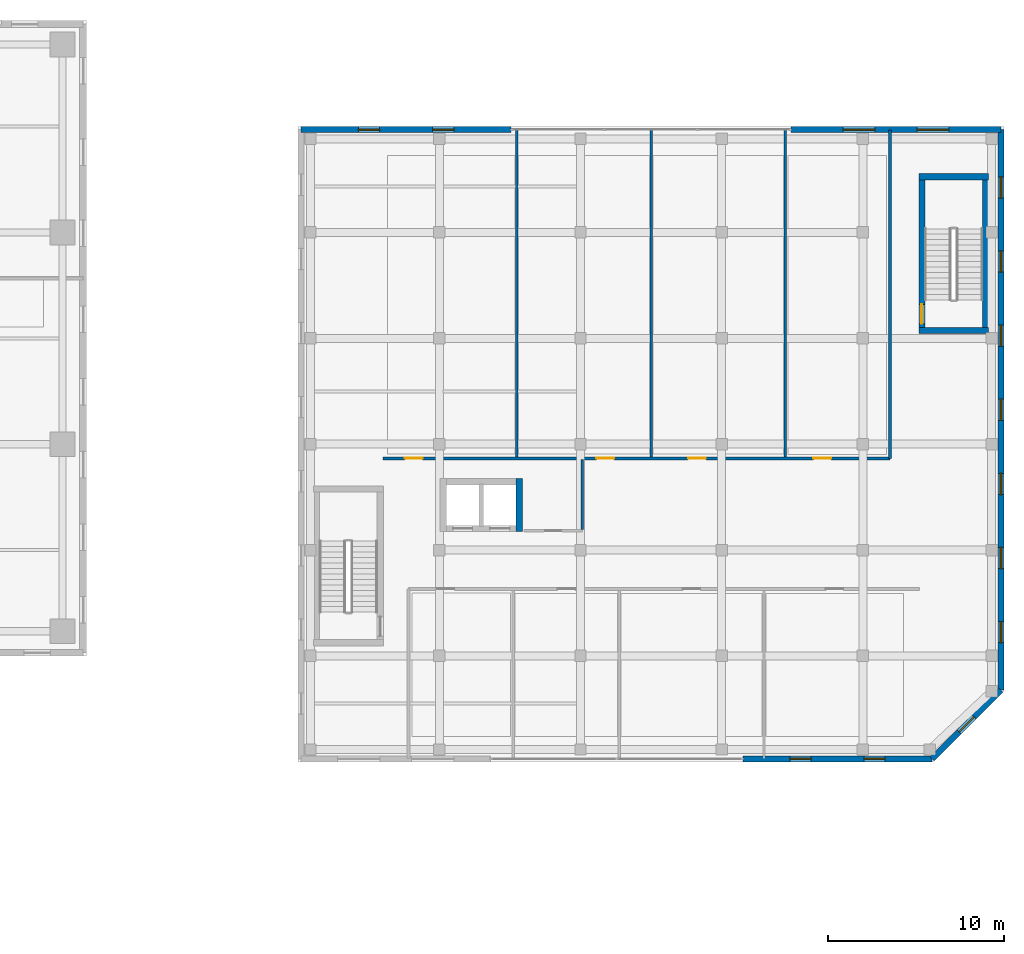
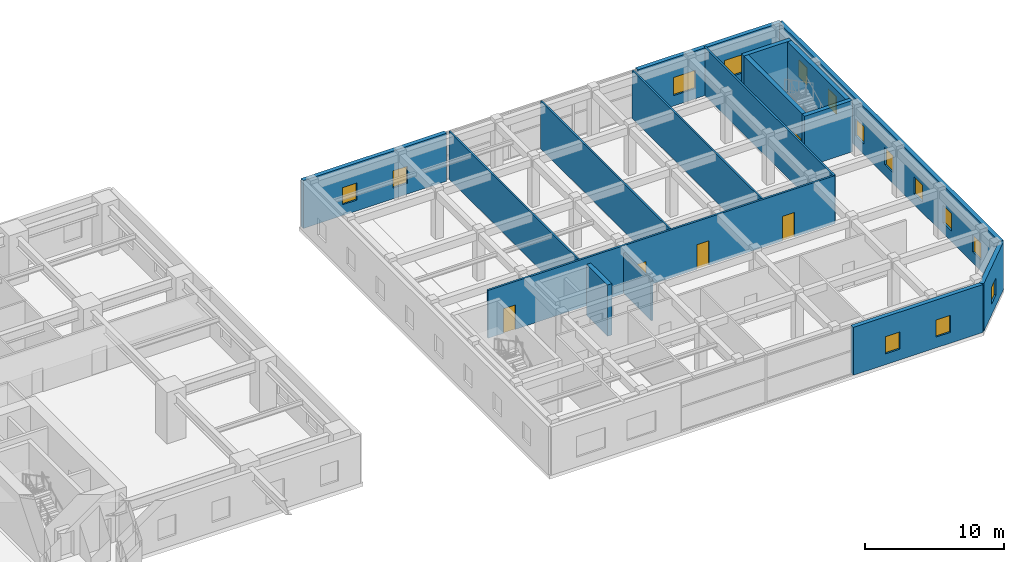
# One storey, part 22 of 28: 16 walls, 14 windows, 5 doors, 19 openings.
"""IFC4 building model written with IfcOpenShell, lengths in metres."""

from ifc_helpers import new_model, si_unit, direction, frame, frame_2d, origin, place, context, subcontext, project, spatial, rectangle, extrude, source, transform, mapped, material, layer, layer_set, type_object, element, fill, save


model = new_model("IFC4")

# Units and contexts
model_context = context("Model", 3, precision=1e-05, world=origin(), true_north=direction((0.0, 1.0)))
body_context = subcontext(model_context, "Body", "Model", "MODEL_VIEW")
ifc_project = project(units=[si_unit("LENGTHUNIT", "METRE"), si_unit("AREAUNIT", "SQUARE_METRE"), si_unit("VOLUMEUNIT", "CUBIC_METRE"), si_unit("PLANEANGLEUNIT", "RADIAN"), si_unit("MASSUNIT", "GRAM", prefix="KILO")], contexts=[model_context])

# Site, building, storey
site_placement = place(None, origin())
site = spatial("IfcSite", under=ifc_project, at=site_placement, CompositionType="ELEMENT")
building_placement = place(site_placement, origin())
building = spatial("IfcBuilding", under=site, at=building_placement, Name="Khoralis Quay Care Tower", CompositionType="ELEMENT")
storey_placement = place(building_placement, frame((0.0, 0.0, 9.0)))
storey = spatial("IfcBuildingStorey", under=building, at=storey_placement, Name="L02", CompositionType="ELEMENT", Elevation=9.0)

# Wall, openings, doors
ifc_material_1 = material(Name="Gypsum plasterboard on acoustic metal stud")
ifc_layer_1 = layer(ifc_material_1, 0.1650390625)
ifc_layer_set_1 = layer_set([ifc_layer_1], Name="Gypsum plasterboard on acoustic metal stud")
wall_type_1 = type_object("IfcWallType", Name="WL-CORR-165", PredefinedType="PARTITIONING", material=ifc_layer_set_1)
wall_1_placement = place(storey_placement, frame((72.800048828125, 23.199951171875, 0.0), z_axis=(0.0, 0.0, 1.0), x_axis=(1.0, 0.0, 0.0)))
wall_1 = element("IfcWall", 1, at=wall_1_placement, inside=storey, type_object=wall_type_1, Name="L02 School Corridor North Wall", PredefinedType="PARTITIONING", context=body_context, shape_type="SweptSolid", body=[
    extrude(rectangle(XDim=28.75, YDim=0.1650390625, at=frame_2d((14.375, 0.0))), origin(), (0.0, 0.0, 1.0), 4.199951171875),
])
opening_1_placement = place(wall_1_placement, frame((1.25, 0.0, 0.0)))
opening_1 = element("IfcOpeningElement", 2, at=opening_1_placement, cuts=wall_1, Name="Opening SCD1", PredefinedType="OPENING", context=body_context, shape_type="SweptSolid", body=[
    extrude(rectangle(XDim=1.0, YDim=2.14990234375, at=frame_2d((0.5, 1.074951171875))), frame((0.0, 0.092529296875, 0.0), z_axis=(0.0, -1.0, 0.0), x_axis=(1.0, 0.0, 0.0)), (0.0, 0.0, 1.0), 0.18505859375),
])
opening_2_placement = place(wall_1_placement, frame((12.10009765625, 0.0, 0.0)))
opening_2 = element("IfcOpeningElement", 3, at=opening_2_placement, cuts=wall_1, Name="Opening SCD1", PredefinedType="OPENING", context=body_context, shape_type="SweptSolid", body=[
    extrude(rectangle(XDim=1.0, YDim=2.14990234375, at=frame_2d((0.5, 1.074951171875))), frame((0.0, 0.092529296875, 0.0), z_axis=(0.0, -1.0, 0.0), x_axis=(1.0, 0.0, 0.0)), (0.0, 0.0, 1.0), 0.18505859375),
])
opening_3_placement = place(wall_1_placement, frame((17.300048828125, 0.0, 0.0)))
opening_3 = element("IfcOpeningElement", 4, at=opening_3_placement, cuts=wall_1, Name="Opening SCD1", PredefinedType="OPENING", context=body_context, shape_type="SweptSolid", body=[
    extrude(rectangle(XDim=1.0, YDim=2.14990234375, at=frame_2d((0.5, 1.074951171875))), frame((0.0, 0.092529296875, 0.0), z_axis=(0.0, -1.0, 0.0), x_axis=(1.0, 0.0, 0.0)), (0.0, 0.0, 1.0), 0.18505859375),
])
opening_4_placement = place(wall_1_placement, frame((24.39990234375, 0.0, 0.0)))
opening_4 = element("IfcOpeningElement", 5, at=opening_4_placement, cuts=wall_1, Name="Opening SCD1", PredefinedType="OPENING", context=body_context, shape_type="SweptSolid", body=[
    extrude(rectangle(XDim=1.0, YDim=2.14990234375, at=frame_2d((0.5, 1.074951171875))), frame((0.0, 0.092529296875, 0.0), z_axis=(0.0, -1.0, 0.0), x_axis=(1.0, 0.0, 0.0)), (0.0, 0.0, 1.0), 0.18505859375),
])
ifc_material_2 = material(Name="Acoustic hardwood timber", Category="wood")
door_type_1 = type_object("IfcDoorType", Name="DR-SCH-1000X2150", OperationType="NOTDEFINED", PredefinedType="DOOR", material=ifc_material_2)
shared_shape_1 = source(origin(), body_context, "Body", "SweptSolid", [
    extrude(rectangle(XDim=1.0, YDim=2.14990234375, at=frame_2d((0.5, 1.074951171875))), frame((0.0, 0.02490234375, 0.0), z_axis=(0.0, -1.0, 0.0), x_axis=(1.0, 0.0, 0.0)), (0.0, 0.0, 1.0), 0.050048828125),
])
door_1_placement = place(opening_1_placement, origin())
door_1 = element("IfcDoor", 6, at=door_1_placement, inside=storey, type_object=door_type_1, Name="L02 Faculty Preparation Office Door", OperationType="SINGLE_SWING_RIGHT", OverallHeight=2.14990234375, OverallWidth=1.0, PredefinedType="DOOR", context=body_context, shape_type="MappedRepresentation", body=[
    mapped(shared_shape_1, transform((0.0, 0.0, 0.0), scale=1.0)),
])
fill(opening_1, door_1)
door_2_placement = place(opening_2_placement, origin())
door_2 = element("IfcDoor", 7, at=door_2_placement, inside=storey, type_object=door_type_1, Name="L02 Robotics Laboratory Door", OperationType="SINGLE_SWING_LEFT", OverallHeight=2.14990234375, OverallWidth=1.0, PredefinedType="DOOR", context=body_context, shape_type="MappedRepresentation", body=[
    mapped(shared_shape_1, transform((0.0, 0.0, 0.0), scale=1.0)),
])
fill(opening_2, door_2)
door_3_placement = place(opening_3_placement, origin())
door_3 = element("IfcDoor", 8, at=door_3_placement, inside=storey, type_object=door_type_1, Name="L02 Academy Library Reading Room Door", OperationType="SINGLE_SWING_RIGHT", OverallHeight=2.14990234375, OverallWidth=1.0, PredefinedType="DOOR", context=body_context, shape_type="MappedRepresentation", body=[
    mapped(shared_shape_1, transform((0.0, 0.0, 0.0), scale=1.0)),
])
fill(opening_3, door_3)
door_4_placement = place(opening_4_placement, origin())
door_4 = element("IfcDoor", 9, at=door_4_placement, inside=storey, type_object=door_type_1, Name="L02 Secondary Classroom Door", OperationType="SINGLE_SWING_LEFT", OverallHeight=2.14990234375, OverallWidth=1.0, PredefinedType="DOOR", context=body_context, shape_type="MappedRepresentation", body=[
    mapped(shared_shape_1, transform((0.0, 0.0, 0.0), scale=1.0)),
])
fill(opening_4, door_4)

# Wall
wall_2_placement = place(storey_placement, frame((101.550048828125, 23.199951171875, 0.0), z_axis=(0.0, 0.0, 1.0), x_axis=(0.0, 1.0, 0.0)))
element("IfcWall", 10, at=wall_2_placement, inside=storey, type_object=wall_type_1, Name="L02 School East Stair Corridor Wall", PredefinedType="PARTITIONING", context=body_context, shape_type="SweptSolid", body=[
    extrude(rectangle(XDim=18.614990234375, YDim=0.1650390625, at=frame_2d((9.3076171875, 0.0))), origin(), (0.0, 0.0, 1.0), 4.199951171875),
])

# Wall, openings, windows
ifc_material_3 = material(Name="Precast concrete C40/50", Category="concrete")
ifc_layer_2 = layer(ifc_material_3, 0.340087890625)
ifc_layer_set_2 = layer_set([ifc_layer_2], Name="Precast concrete C40/50")
wall_type_2 = type_object("IfcWallType", Name="WL-EXT-SCH-340", PredefinedType="SOLIDWALL", material=ifc_layer_set_2)
wall_3_placement = place(storey_placement, frame((93.201904296875, 6.169921875, 0.0), z_axis=(0.0, 0.0, 1.0), x_axis=(1.0, 0.0, 0.0)))
wall_3 = element("IfcWall", 11, at=wall_3_placement, inside=storey, type_object=wall_type_2, Name="L02 External Facade Wall WL-SCH-L02-E0B", PredefinedType="SOLIDWALL", context=body_context, shape_type="SweptSolid", body=[
    extrude(rectangle(XDim=10.727783203125, YDim=0.340087890625, at=frame_2d((5.36376953125, 0.0))), origin(), (0.0, 0.0, 1.0), 4.199951171875),
])
opening_5_placement = place(wall_3_placement, frame((2.663818359375, 0.0, 0.949951171875)))
opening_5 = element("IfcOpeningElement", 12, at=opening_5_placement, cuts=wall_3, Name="Opening W6", PredefinedType="OPENING", context=body_context, shape_type="SweptSolid", body=[
    extrude(rectangle(XDim=1.199951171875, YDim=1.5, at=frame_2d((0.60009765625, 0.75))), frame((0.0, 0.18017578125, 0.0), z_axis=(0.0, -1.0, 0.0), x_axis=(1.0, 0.0, 0.0)), (0.0, 0.0, 1.0), 0.360107421875),
])
opening_6_placement = place(wall_3_placement, frame((6.86376953125, 0.0, 0.949951171875)))
opening_6 = element("IfcOpeningElement", 13, at=opening_6_placement, cuts=wall_3, Name="Opening W6", PredefinedType="OPENING", context=body_context, shape_type="SweptSolid", body=[
    extrude(rectangle(XDim=1.199951171875, YDim=1.5, at=frame_2d((0.60009765625, 0.75))), frame((0.0, 0.18017578125, 0.0), z_axis=(0.0, -1.0, 0.0), x_axis=(1.0, 0.0, 0.0)), (0.0, 0.0, 1.0), 0.360107421875),
])
ifc_material_4 = material(Name="Low-E solar-control double glazing", Category="glass")
window_type_1 = type_object("IfcWindowType", Name="WN-SCH-1200X1500", PartitioningType="SINGLE_PANEL", PredefinedType="WINDOW", material=ifc_material_4)
shared_shape_2 = source(origin(), body_context, "Body", "SweptSolid", [
    extrude(rectangle(XDim=1.199951171875, YDim=1.5, at=frame_2d((0.60009765625, 0.75))), frame((0.0, 0.030029296875, 0.0), z_axis=(0.0, -1.0, 0.0), x_axis=(1.0, 0.0, 0.0)), (0.0, 0.0, 1.0), 0.06005859375),
])
window_1_placement = place(opening_5_placement, origin())
window_1 = element("IfcWindow", 14, at=window_1_placement, inside=storey, type_object=window_type_1, Name="WN-SCH-L02-0B Classroom Window 01", OverallHeight=1.5, OverallWidth=1.199951171875, PartitioningType="SINGLE_PANEL", PredefinedType="WINDOW", context=body_context, shape_type="MappedRepresentation", body=[
    mapped(shared_shape_2, transform((0.0, 0.0, 0.0), scale=1.0)),
])
fill(opening_5, window_1)
window_2_placement = place(opening_6_placement, origin())
window_2 = element("IfcWindow", 15, at=window_2_placement, inside=storey, type_object=window_type_1, Name="WN-SCH-L02-0B Classroom Window 02", OverallHeight=1.5, OverallWidth=1.199951171875, PartitioningType="SINGLE_PANEL", PredefinedType="WINDOW", context=body_context, shape_type="MappedRepresentation", body=[
    mapped(shared_shape_2, transform((0.0, 0.0, 0.0), scale=1.0)),
])
fill(opening_6, window_2)

# Wall, opening, window
wall_4_placement = place(storey_placement, frame((103.9296875, 6.169921875, 0.0), z_axis=(0.0, 0.0, 1.0), x_axis=(0.707106781187, 0.707106781187, 0.0)))
wall_4 = element("IfcWall", 16, at=wall_4_placement, inside=storey, type_object=wall_type_2, Name="L02 External Facade Wall WL-SCH-L02-E1", PredefinedType="SOLIDWALL", context=body_context, shape_type="SweptSolid", body=[
    extrude(rectangle(XDim=5.515869140625, YDim=0.340087890625, at=frame_2d((2.7578125, 0.0))), origin(), (0.0, 0.0, 1.0), 4.199951171875),
])
opening_7_placement = place(wall_4_placement, frame((2.157958984375, 0.0, 0.949951171875)))
opening_7 = element("IfcOpeningElement", 17, at=opening_7_placement, cuts=wall_4, Name="Opening W6", PredefinedType="OPENING", context=body_context, shape_type="SweptSolid", body=[
    extrude(rectangle(XDim=1.199951171875, YDim=1.5, at=frame_2d((0.60009765625, 0.75))), frame((0.0, 0.18017578125, 0.0), z_axis=(0.0, -1.0, 0.0), x_axis=(1.0, 0.0, 0.0)), (0.0, 0.0, 1.0), 0.360107421875),
])
window_3_placement = place(opening_7_placement, origin())
window_3 = element("IfcWindow", 18, at=window_3_placement, inside=storey, type_object=window_type_1, Name="WN-SCH-L02-E1 Classroom Window 01", OverallHeight=1.5, OverallWidth=1.199951171875, PartitioningType="SINGLE_PANEL", PredefinedType="WINDOW", context=body_context, shape_type="MappedRepresentation", body=[
    mapped(shared_shape_2, transform((0.0, 0.0, 0.0), scale=1.0)),
])
fill(opening_7, window_3)

# Wall, openings, windows
wall_5_placement = place(storey_placement, frame((107.830078125, 10.0703125, 0.0), z_axis=(0.0, 0.0, 1.0), x_axis=(0.0, 1.0, 0.0)))
wall_5 = element("IfcWall", 19, at=wall_5_placement, inside=storey, type_object=wall_type_2, Name="L02 External Facade Wall WL-SCH-L02-E2", PredefinedType="SOLIDWALL", context=body_context, shape_type="SweptSolid", body=[
    extrude(rectangle(XDim=31.759765625, YDim=0.340087890625, at=frame_2d((15.8798828125, 0.0))), origin(), (0.0, 0.0, 1.0), 4.199951171875),
])
opening_8_placement = place(wall_5_placement, frame((2.6796875, 0.0, 0.949951171875)))
opening_8 = element("IfcOpeningElement", 20, at=opening_8_placement, cuts=wall_5, Name="Opening W6", PredefinedType="OPENING", context=body_context, shape_type="SweptSolid", body=[
    extrude(rectangle(XDim=1.199951171875, YDim=1.5, at=frame_2d((0.60009765625, 0.75))), frame((0.0, 0.18017578125, 0.0), z_axis=(0.0, -1.0, 0.0), x_axis=(1.0, 0.0, 0.0)), (0.0, 0.0, 1.0), 0.360107421875),
])
opening_9_placement = place(wall_5_placement, frame((6.8798828125, 0.0, 0.949951171875)))
opening_9 = element("IfcOpeningElement", 21, at=opening_9_placement, cuts=wall_5, Name="Opening W6", PredefinedType="OPENING", context=body_context, shape_type="SweptSolid", body=[
    extrude(rectangle(XDim=1.199951171875, YDim=1.5, at=frame_2d((0.60009765625, 0.75))), frame((0.0, 0.18017578125, 0.0), z_axis=(0.0, -1.0, 0.0), x_axis=(1.0, 0.0, 0.0)), (0.0, 0.0, 1.0), 0.360107421875),
])
opening_10_placement = place(wall_5_placement, frame((11.079833984375, 0.0, 0.949951171875)))
opening_10 = element("IfcOpeningElement", 22, at=opening_10_placement, cuts=wall_5, Name="Opening W6", PredefinedType="OPENING", context=body_context, shape_type="SweptSolid", body=[
    extrude(rectangle(XDim=1.199951171875, YDim=1.5, at=frame_2d((0.60009765625, 0.75))), frame((0.0, 0.18017578125, 0.0), z_axis=(0.0, -1.0, 0.0), x_axis=(1.0, 0.0, 0.0)), (0.0, 0.0, 1.0), 0.360107421875),
])
opening_11_placement = place(wall_5_placement, frame((15.27978515625, 0.0, 0.949951171875)))
opening_11 = element("IfcOpeningElement", 23, at=opening_11_placement, cuts=wall_5, Name="Opening W6", PredefinedType="OPENING", context=body_context, shape_type="SweptSolid", body=[
    extrude(rectangle(XDim=1.199951171875, YDim=1.5, at=frame_2d((0.60009765625, 0.75))), frame((0.0, 0.18017578125, 0.0), z_axis=(0.0, -1.0, 0.0), x_axis=(1.0, 0.0, 0.0)), (0.0, 0.0, 1.0), 0.360107421875),
])
opening_12_placement = place(wall_5_placement, frame((19.479736328125, 0.0, 0.949951171875)))
opening_12 = element("IfcOpeningElement", 24, at=opening_12_placement, cuts=wall_5, Name="Opening W6", PredefinedType="OPENING", context=body_context, shape_type="SweptSolid", body=[
    extrude(rectangle(XDim=1.199951171875, YDim=1.5, at=frame_2d((0.60009765625, 0.75))), frame((0.0, 0.18017578125, 0.0), z_axis=(0.0, -1.0, 0.0), x_axis=(1.0, 0.0, 0.0)), (0.0, 0.0, 1.0), 0.360107421875),
])
opening_13_placement = place(wall_5_placement, frame((23.6796875, 0.0, 0.949951171875)))
opening_13 = element("IfcOpeningElement", 25, at=opening_13_placement, cuts=wall_5, Name="Opening W6", PredefinedType="OPENING", context=body_context, shape_type="SweptSolid", body=[
    extrude(rectangle(XDim=1.199951171875, YDim=1.5, at=frame_2d((0.60009765625, 0.75))), frame((0.0, 0.18017578125, 0.0), z_axis=(0.0, -1.0, 0.0), x_axis=(1.0, 0.0, 0.0)), (0.0, 0.0, 1.0), 0.360107421875),
])
opening_14_placement = place(wall_5_placement, frame((27.8798828125, 0.0, 0.949951171875)))
opening_14 = element("IfcOpeningElement", 26, at=opening_14_placement, cuts=wall_5, Name="Opening W6", PredefinedType="OPENING", context=body_context, shape_type="SweptSolid", body=[
    extrude(rectangle(XDim=1.199951171875, YDim=1.5, at=frame_2d((0.60009765625, 0.75))), frame((0.0, 0.18017578125, 0.0), z_axis=(0.0, -1.0, 0.0), x_axis=(1.0, 0.0, 0.0)), (0.0, 0.0, 1.0), 0.360107421875),
])
window_4_placement = place(opening_8_placement, origin())
window_4 = element("IfcWindow", 27, at=window_4_placement, inside=storey, type_object=window_type_1, Name="WN-SCH-L02-E2 Classroom Window 01", OverallHeight=1.5, OverallWidth=1.199951171875, PartitioningType="SINGLE_PANEL", PredefinedType="WINDOW", context=body_context, shape_type="MappedRepresentation", body=[
    mapped(shared_shape_2, transform((0.0, 0.0, 0.0), scale=1.0)),
])
fill(opening_8, window_4)
window_5_placement = place(opening_9_placement, origin())
window_5 = element("IfcWindow", 28, at=window_5_placement, inside=storey, type_object=window_type_1, Name="WN-SCH-L02-E2 Classroom Window 02", OverallHeight=1.5, OverallWidth=1.199951171875, PartitioningType="SINGLE_PANEL", PredefinedType="WINDOW", context=body_context, shape_type="MappedRepresentation", body=[
    mapped(shared_shape_2, transform((0.0, 0.0, 0.0), scale=1.0)),
])
fill(opening_9, window_5)
window_6_placement = place(opening_10_placement, origin())
window_6 = element("IfcWindow", 29, at=window_6_placement, inside=storey, type_object=window_type_1, Name="WN-SCH-L02-E2 Classroom Window 03", OverallHeight=1.5, OverallWidth=1.199951171875, PartitioningType="SINGLE_PANEL", PredefinedType="WINDOW", context=body_context, shape_type="MappedRepresentation", body=[
    mapped(shared_shape_2, transform((0.0, 0.0, 0.0), scale=1.0)),
])
fill(opening_10, window_6)
window_7_placement = place(opening_11_placement, origin())
window_7 = element("IfcWindow", 30, at=window_7_placement, inside=storey, type_object=window_type_1, Name="WN-SCH-L02-E2 Classroom Window 04", OverallHeight=1.5, OverallWidth=1.199951171875, PartitioningType="SINGLE_PANEL", PredefinedType="WINDOW", context=body_context, shape_type="MappedRepresentation", body=[
    mapped(shared_shape_2, transform((0.0, 0.0, 0.0), scale=1.0)),
])
fill(opening_11, window_7)
window_8_placement = place(opening_12_placement, origin())
window_8 = element("IfcWindow", 31, at=window_8_placement, inside=storey, type_object=window_type_1, Name="WN-SCH-L02-E2 Classroom Window 05", OverallHeight=1.5, OverallWidth=1.199951171875, PartitioningType="SINGLE_PANEL", PredefinedType="WINDOW", context=body_context, shape_type="MappedRepresentation", body=[
    mapped(shared_shape_2, transform((0.0, 0.0, 0.0), scale=1.0)),
])
fill(opening_12, window_8)
window_9_placement = place(opening_13_placement, origin())
window_9 = element("IfcWindow", 32, at=window_9_placement, inside=storey, type_object=window_type_1, Name="WN-SCH-L02-E2 Classroom Window 06", OverallHeight=1.5, OverallWidth=1.199951171875, PartitioningType="SINGLE_PANEL", PredefinedType="WINDOW", context=body_context, shape_type="MappedRepresentation", body=[
    mapped(shared_shape_2, transform((0.0, 0.0, 0.0), scale=1.0)),
])
fill(opening_13, window_9)
window_10_placement = place(opening_14_placement, origin())
window_10 = element("IfcWindow", 33, at=window_10_placement, inside=storey, type_object=window_type_1, Name="WN-SCH-L02-E2 Classroom Window 07", OverallHeight=1.5, OverallWidth=1.199951171875, PartitioningType="SINGLE_PANEL", PredefinedType="WINDOW", context=body_context, shape_type="MappedRepresentation", body=[
    mapped(shared_shape_2, transform((0.0, 0.0, 0.0), scale=1.0)),
])
fill(opening_14, window_10)

wall_6_placement = place(storey_placement, frame((107.830078125, 41.830078125, 0.0), z_axis=(0.0, 0.0, 1.0), x_axis=(-1.0, 0.0, 0.0)))
wall_6 = element("IfcWall", 34, at=wall_6_placement, inside=storey, type_object=wall_type_2, Name="L02 External Facade Wall WL-SCH-L02-E3A", PredefinedType="SOLIDWALL", context=body_context, shape_type="SweptSolid", body=[
    extrude(rectangle(XDim=11.898193359375, YDim=0.340087890625, at=frame_2d((5.94921875, 0.0))), origin(), (0.0, 0.0, 1.0), 4.199951171875),
])
opening_15_placement = place(wall_6_placement, frame((2.948974609375, 0.0, 0.89990234375)))
opening_15 = element("IfcOpeningElement", 35, at=opening_15_placement, cuts=wall_6, Name="Opening W5", PredefinedType="OPENING", context=body_context, shape_type="SweptSolid", body=[
    extrude(rectangle(XDim=1.800048828125, YDim=1.60009765625, at=frame_2d((0.89990234375, 0.800048828125))), frame((0.0, 0.18017578125, 0.0), z_axis=(0.0, -1.0, 0.0), x_axis=(1.0, 0.0, 0.0)), (0.0, 0.0, 1.0), 0.360107421875),
])
opening_16_placement = place(wall_6_placement, frame((7.14892578125, 0.0, 0.89990234375)))
opening_16 = element("IfcOpeningElement", 36, at=opening_16_placement, cuts=wall_6, Name="Opening W5", PredefinedType="OPENING", context=body_context, shape_type="SweptSolid", body=[
    extrude(rectangle(XDim=1.800048828125, YDim=1.60009765625, at=frame_2d((0.89990234375, 0.800048828125))), frame((0.0, 0.18017578125, 0.0), z_axis=(0.0, -1.0, 0.0), x_axis=(1.0, 0.0, 0.0)), (0.0, 0.0, 1.0), 0.360107421875),
])
window_type_2 = type_object("IfcWindowType", Name="WN-SCH-1800X1600", PartitioningType="SINGLE_PANEL", PredefinedType="WINDOW", material=ifc_material_4)
shared_shape_3 = source(origin(), body_context, "Body", "SweptSolid", [
    extrude(rectangle(XDim=1.800048828125, YDim=1.60009765625, at=frame_2d((0.89990234375, 0.800048828125))), frame((0.0, 0.030029296875, 0.0), z_axis=(0.0, -1.0, 0.0), x_axis=(1.0, 0.0, 0.0)), (0.0, 0.0, 1.0), 0.06005859375),
])
window_11_placement = place(opening_15_placement, origin())
window_11 = element("IfcWindow", 37, at=window_11_placement, inside=storey, type_object=window_type_2, Name="WN-SCH-L02-3A Classroom Window 01", OverallHeight=1.60009765625, OverallWidth=1.800048828125, PartitioningType="SINGLE_PANEL", PredefinedType="WINDOW", context=body_context, shape_type="MappedRepresentation", body=[
    mapped(shared_shape_3, transform((0.0, 0.0, 0.0), scale=1.0)),
])
fill(opening_15, window_11)
window_12_placement = place(opening_16_placement, origin())
window_12 = element("IfcWindow", 38, at=window_12_placement, inside=storey, type_object=window_type_2, Name="WN-SCH-L02-3A Classroom Window 02", OverallHeight=1.60009765625, OverallWidth=1.800048828125, PartitioningType="SINGLE_PANEL", PredefinedType="WINDOW", context=body_context, shape_type="MappedRepresentation", body=[
    mapped(shared_shape_3, transform((0.0, 0.0, 0.0), scale=1.0)),
])
fill(opening_16, window_12)

wall_7_placement = place(storey_placement, frame((80.068115234375, 41.830078125, 0.0), z_axis=(0.0, 0.0, 1.0), x_axis=(-1.0, 0.0, 0.0)))
wall_7 = element("IfcWall", 39, at=wall_7_placement, inside=storey, type_object=wall_type_2, Name="L02 External Facade Wall WL-SCH-L02-E3B", PredefinedType="SOLIDWALL", context=body_context, shape_type="SweptSolid", body=[
    extrude(rectangle(XDim=11.898193359375, YDim=0.340087890625, at=frame_2d((5.94921875, 0.0))), origin(), (0.0, 0.0, 1.0), 4.199951171875),
])
opening_17_placement = place(wall_7_placement, frame((3.2490234375, 0.0, 0.949951171875)))
opening_17 = element("IfcOpeningElement", 40, at=opening_17_placement, cuts=wall_7, Name="Opening W6", PredefinedType="OPENING", context=body_context, shape_type="SweptSolid", body=[
    extrude(rectangle(XDim=1.199951171875, YDim=1.5, at=frame_2d((0.60009765625, 0.75))), frame((0.0, 0.18017578125, 0.0), z_axis=(0.0, -1.0, 0.0), x_axis=(1.0, 0.0, 0.0)), (0.0, 0.0, 1.0), 0.360107421875),
])
opening_18_placement = place(wall_7_placement, frame((7.448974609375, 0.0, 0.949951171875)))
opening_18 = element("IfcOpeningElement", 41, at=opening_18_placement, cuts=wall_7, Name="Opening W6", PredefinedType="OPENING", context=body_context, shape_type="SweptSolid", body=[
    extrude(rectangle(XDim=1.199951171875, YDim=1.5, at=frame_2d((0.60009765625, 0.75))), frame((0.0, 0.18017578125, 0.0), z_axis=(0.0, -1.0, 0.0), x_axis=(1.0, 0.0, 0.0)), (0.0, 0.0, 1.0), 0.360107421875),
])
window_13_placement = place(opening_17_placement, origin())
window_13 = element("IfcWindow", 42, at=window_13_placement, inside=storey, type_object=window_type_1, Name="WN-SCH-L02-3B Classroom Window 01", OverallHeight=1.5, OverallWidth=1.199951171875, PartitioningType="SINGLE_PANEL", PredefinedType="WINDOW", context=body_context, shape_type="MappedRepresentation", body=[
    mapped(shared_shape_2, transform((0.0, 0.0, 0.0), scale=1.0)),
])
fill(opening_17, window_13)
window_14_placement = place(opening_18_placement, origin())
window_14 = element("IfcWindow", 43, at=window_14_placement, inside=storey, type_object=window_type_1, Name="WN-SCH-L02-3B Classroom Window 02", OverallHeight=1.5, OverallWidth=1.199951171875, PartitioningType="SINGLE_PANEL", PredefinedType="WINDOW", context=body_context, shape_type="MappedRepresentation", body=[
    mapped(shared_shape_2, transform((0.0, 0.0, 0.0), scale=1.0)),
])
fill(opening_18, window_14)

# Wall
ifc_material_5 = material(Name="Moisture-resistant gypsum and ceramic tile")
ifc_layer_3 = layer(ifc_material_5, 0.280029296875)
ifc_layer_set_3 = layer_set([ifc_layer_3], Name="Moisture-resistant gypsum and ceramic tile")
wall_type_3 = type_object("IfcWallType", Name="WL-PLUMB-280", PredefinedType="PLUMBINGWALL", material=ifc_layer_set_3)
wall_8_placement = place(storey_placement, frame((84.10009765625, 19.1650390625, 0.0), z_axis=(0.0, 0.0, 1.0), x_axis=(0.0, 1.0, 0.0)))
element("IfcWall", 44, at=wall_8_placement, inside=storey, type_object=wall_type_3, Name="L02 School WC East Wall", PredefinedType="PLUMBINGWALL", context=body_context, shape_type="SweptSolid", body=[
    extrude(rectangle(XDim=3.95751953125, YDim=0.139892578125, at=frame_2d((1.978759765625, 0.0))), origin(), (0.0, 0.0, 1.0), 3.550048828125),
])

# Wall, opening, door
ifc_material_6 = material(Name="Concrete C40/50", Category="concrete")
ifc_layer_4 = layer(ifc_material_6, 0.35009765625)
ifc_layer_set_4 = layer_set([ifc_layer_4], Name="Concrete C40/50")
wall_type_4 = type_object("IfcWallType", Name="WL-SC-CORE-350", PredefinedType="SHEAR", material=ifc_layer_set_4)
wall_9_placement = place(storey_placement, frame((103.344970703125, 30.27001953125, 0.0), z_axis=(0.0, 0.0, 1.0), x_axis=(0.0, 1.0, 0.0)))
wall_9 = element("IfcWall", 45, at=wall_9_placement, inside=storey, type_object=wall_type_4, Name="L02 School Stair ST-S2 West Shear Wall", PredefinedType="SHEAR", context=body_context, shape_type="SweptSolid", body=[
    extrude(rectangle(XDim=9.06005859375, YDim=0.35009765625, at=frame_2d((4.530029296875, 0.0))), origin(), (0.0, 0.0, 1.0), 4.5),
])
opening_19_placement = place(wall_9_placement, frame((0.550048828125, 0.0, 0.0)))
opening_19 = element("IfcOpeningElement", 46, at=opening_19_placement, cuts=wall_9, Name="Opening SD1", PredefinedType="OPENING", context=body_context, shape_type="SweptSolid", body=[
    extrude(rectangle(XDim=1.10009765625, YDim=2.199951171875, at=frame_2d((0.550048828125, 1.10009765625))), frame((0.0, 0.18505859375, 0.0), z_axis=(0.0, -1.0, 0.0), x_axis=(1.0, 0.0, 0.0)), (0.0, 0.0, 1.0), 0.3701171875),
])
ifc_material_7 = material(Name="Fire-rated painted steel", Category="steel")
door_type_2 = type_object("IfcDoorType", Name="DR-STAIR-1100X2200", OperationType="NOTDEFINED", PredefinedType="DOOR", material=ifc_material_7)
shared_shape_4 = source(origin(), body_context, "Body", "SweptSolid", [
    extrude(rectangle(XDim=1.10009765625, YDim=2.199951171875, at=frame_2d((0.550048828125, 1.10009765625))), frame((0.0, 0.02490234375, 0.0), z_axis=(0.0, -1.0, 0.0), x_axis=(1.0, 0.0, 0.0)), (0.0, 0.0, 1.0), 0.050048828125),
])
door_5_placement = place(opening_19_placement, frame((1.10009765625, 0.0, 0.0), z_axis=(0.0, 0.0, 1.0), x_axis=(-1.0, 0.0, 0.0)))
door_5 = element("IfcDoor", 47, at=door_5_placement, inside=storey, type_object=door_type_2, Name="L02 School Stair ST-S2 Door", OperationType="SINGLE_SWING_RIGHT", OverallHeight=2.199951171875, OverallWidth=1.10009765625, PredefinedType="DOOR", context=body_context, shape_type="MappedRepresentation", body=[
    mapped(shared_shape_4, transform((0.0, 0.0, 0.0), scale=1.0)),
])
fill(opening_19, door_5)

# Walls
for number, where, z_axis, x_axis, name in (
    (48, (103.169921875, 30.445068359375, 0.0), (0.0, 0.0, 1.0), (1.0, 0.0, 0.0), "L02 School Stair ST-S2 South Shear Wall"),
    (49, (103.169921875, 39.155029296875, 0.0), (0.0, 0.0, 1.0), (1.0, 0.0, 0.0), "L02 School Stair ST-S2 North Shear Wall"),
):
    element("IfcWall", number, at=place(storey_placement, frame(where, z_axis=z_axis, x_axis=x_axis)), inside=storey, type_object=wall_type_4, Name=name, PredefinedType="SHEAR", context=body_context, shape_type="SweptSolid", body=[
        extrude(rectangle(XDim=3.9599609375, YDim=0.35009765625, at=frame_2d((1.97998046875, 0.0))), origin(), (0.0, 0.0, 1.0), 4.5),
    ])
wall_10_placement = place(storey_placement, frame((106.955078125, 30.27001953125, 0.0), z_axis=(0.0, 0.0, 1.0), x_axis=(0.0, 1.0, 0.0)))
element("IfcWall", 50, at=wall_10_placement, inside=storey, type_object=wall_type_4, Name="L02 School Stair ST-S2 East Shear Wall", PredefinedType="SHEAR", context=body_context, shape_type="SweptSolid", body=[
    extrude(rectangle(XDim=9.06005859375, YDim=0.35009765625, at=frame_2d((4.530029296875, 0.0))), origin(), (0.0, 0.0, 1.0), 4.5),
])
wall_11_placement = place(storey_placement, frame((80.52490234375, 19.050048828125, 0.0), z_axis=(0.0, 0.0, 1.0), x_axis=(0.0, 1.0, 0.0)))
element("IfcWall", 51, at=wall_11_placement, inside=storey, type_object=wall_type_4, Name="WL-SCCORE-L02-E", PredefinedType="SHEAR", context=body_context, shape_type="SweptSolid", body=[
    extrude(rectangle(XDim=3.0, YDim=0.35009765625, at=frame_2d((1.5, 0.0))), origin(), (0.0, 0.0, 1.0), 4.5),
])
ifc_layer_5 = layer(ifc_material_1, 0.139892578125)
ifc_layer_set_5 = layer_set([ifc_layer_5], Name="Gypsum plasterboard on acoustic metal stud")
wall_type_5 = type_object("IfcWallType", Name="WL-UNIT-140", PredefinedType="PARTITIONING", material=ifc_layer_set_5)
for number, where, z_axis, x_axis, name in (
    (52, (80.39990234375, 23.277587890625, 0.0), (0.0, 0.0, 1.0), (0.0, 1.0, 0.0), "L02 School North Classroom Wall 1"),
    (53, (88.0, 23.277587890625, 0.0), (0.0, 0.0, 1.0), (0.0, 1.0, 0.0), "L02 School North Classroom Wall 2"),
    (54, (95.60009765625, 23.277587890625, 0.0), (0.0, 0.0, 1.0), (0.0, 1.0, 0.0), "L02 School North Classroom Wall 3"),
):
    element("IfcWall", number, at=place(storey_placement, frame(where, z_axis=z_axis, x_axis=x_axis)), inside=storey, type_object=wall_type_5, Name=name, PredefinedType="PARTITIONING", context=body_context, shape_type="SweptSolid", body=[
        extrude(rectangle(XDim=18.537353515625, YDim=0.139892578125, at=frame_2d((9.2685546875, 0.0))), origin(), (0.0, 0.0, 1.0), 4.199951171875),
    ])

save(model, "model.ifc")
